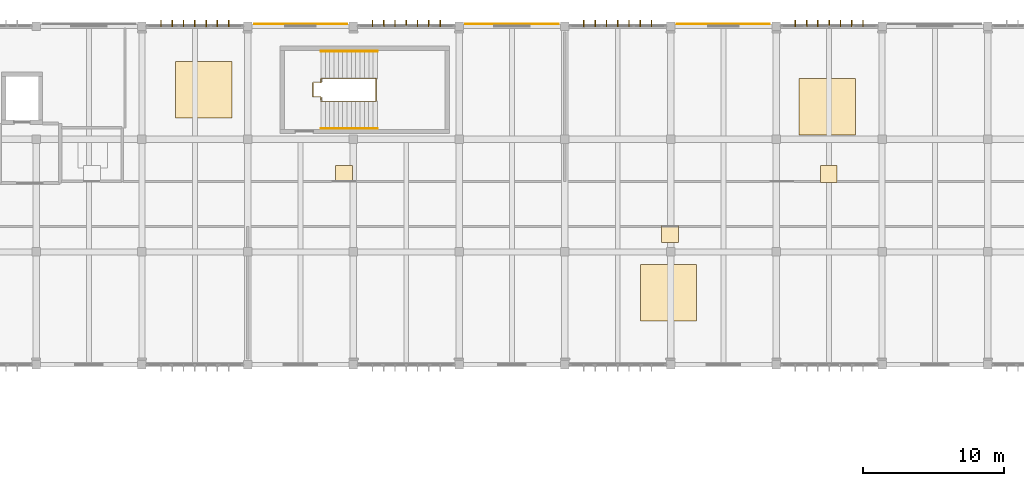
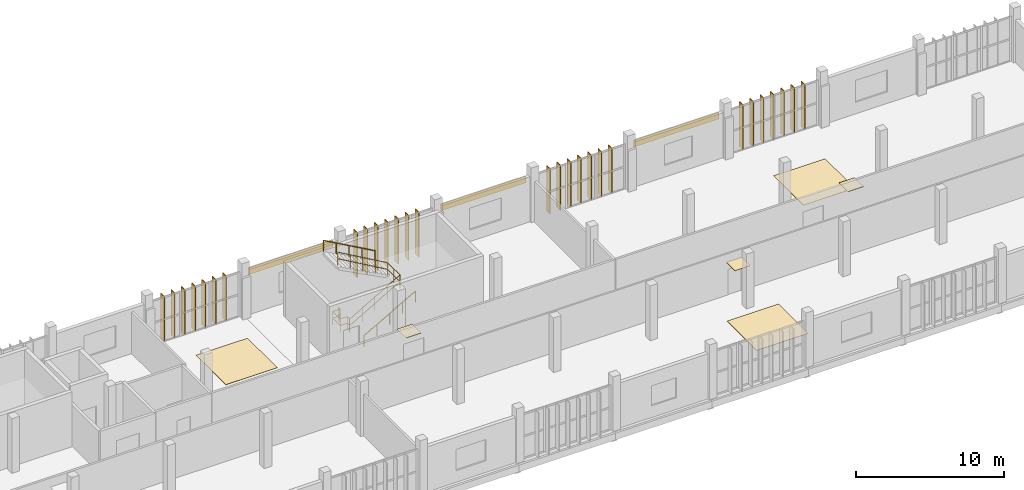
# One storey, part 76 of 81: 28 shading devices, 9 coverings, 4 railings.
"""IFC4 building model written with IfcOpenShell, lengths in metres."""

from ifc_helpers import new_model, si_unit, direction, frame, origin, origin_2d, place, context, subcontext, project, spatial, rectangle, circle, extrude, material, layer, layer_set, material_profile, profile_set, type_object, element, save


model = new_model("IFC4")

# Units and contexts
model_context = context("Model", 3, precision=1e-05, world=origin(), true_north=direction((0.0, 1.0)))
body_context = subcontext(model_context, "Body", "Model", "MODEL_VIEW")
ifc_project = project(units=[si_unit("LENGTHUNIT", "METRE"), si_unit("AREAUNIT", "SQUARE_METRE"), si_unit("VOLUMEUNIT", "CUBIC_METRE"), si_unit("PLANEANGLEUNIT", "RADIAN"), si_unit("MASSUNIT", "GRAM", prefix="KILO")], contexts=[model_context])

# Site, building, storey
site_placement = place(None, origin())
site = spatial("IfcSite", under=ifc_project, at=site_placement, CompositionType="ELEMENT")
building_placement = place(site_placement, origin())
building = spatial("IfcBuilding", under=site, at=building_placement, Name="Vourika Railside Aquatics Centre", CompositionType="ELEMENT")
storey_placement = place(building_placement, frame((0.0, 0.0, 4.800048828125)))
storey = spatial("IfcBuildingStorey", under=building, at=storey_placement, Name="L01", CompositionType="ELEMENT", Elevation=4.800048828125)

# Coverings
ifc_material_1 = material(Name="Perforated moisture-resistant acoustic gypsum ceiling")
ifc_layer_1 = layer(ifc_material_1, 0.02490234375, Name="COV-CEIL-25")
ifc_layer_set_1 = layer_set([ifc_layer_1], Name="Perforated moisture-resistant acoustic gypsum ceiling")
covering_type_1 = type_object("IfcCoveringType", Name="COV-CEIL-25", PredefinedType="CEILING", material=ifc_layer_set_1)
for number, where, z_axis, x_axis, name in (
    (1, (103.467529296875, 101.280029296875, 2.637451171875), (0.0, 0.0, 1.0), (1.0, 0.0, 0.0), "Cardio Fitness Hall Acoustic Ceiling Panel"),
    (2, (80.3349609375, 105.52001953125, 2.637451171875), (0.0, 0.0, 1.0), (1.0, 0.0, 0.0), "Indoor Cycling Spin Studio Acoustic Ceiling Panel"),
    (3, (114.717529296875, 105.52001953125, 2.637451171875), (0.0, 0.0, 1.0), (1.0, 0.0, 0.0), "Aerobics and Dance Movement Studio Acoustic Ceiling Panel"),
):
    element("IfcCovering", number, at=place(storey_placement, frame(where, z_axis=z_axis, x_axis=x_axis)), inside=storey, type_object=covering_type_1, Name=name, PredefinedType="CEILING", context=body_context, shape_type="SweptSolid", body=[
        extrude(rectangle(XDim=1.199951171875, YDim=1.199951171875, at=origin_2d()), origin(), (0.0, 0.0, 1.0), 0.02490234375),
    ])
ifc_material_2 = material(Name="Bronze-anodized aluminium rainscreen", Category="aluminium")
ifc_layer_2 = layer(ifc_material_2, 0.044921875, Name="COV-CLAD-45")
ifc_layer_set_2 = layer_set([ifc_layer_2], Name="Bronze-anodized aluminium rainscreen")
covering_type_2 = type_object("IfcCoveringType", Name="COV-CLAD-45", PredefinedType="CLADDING", material=ifc_layer_set_2)
for number, where, z_axis, x_axis, name in (
    (4, (77.25, 116.1650390625, 3.07470703125), (0.0, 0.0, 1.0), (-1.0, 0.0, 0.0), "Perforated Bronze Rainscreen Band CL-052"),
    (5, (92.25, 116.1650390625, 3.07470703125), (0.0, 0.0, 1.0), (-1.0, 0.0, 0.0), "Perforated Bronze Rainscreen Band CL-053"),
    (6, (107.25, 116.1650390625, 3.07470703125), (0.0, 0.0, 1.0), (-1.0, 0.0, 0.0), "Perforated Bronze Rainscreen Band CL-054"),
):
    element("IfcCovering", number, at=place(storey_placement, frame(where, z_axis=z_axis, x_axis=x_axis)), inside=storey, type_object=covering_type_2, Name=name, PredefinedType="CLADDING", context=body_context, shape_type="SweptSolid", body=[
        extrude(rectangle(XDim=6.60009765625, YDim=0.044921875, at=origin_2d()), origin(), (0.0, 0.0, 1.0), 0.550048828125),
    ])
ifc_material_3 = material(Name="Slip-resistant aqua ceramic sports flooring")
ifc_layer_3 = layer(ifc_material_3, 0.02001953125, Name="COV-FLOR-20")
ifc_layer_set_3 = layer_set([ifc_layer_3], Name="Slip-resistant aqua ceramic sports flooring")
covering_type_3 = type_object("IfcCoveringType", Name="COV-FLOR-20", PredefinedType="FLOORING", material=ifc_layer_set_3)
for number, where, z_axis, x_axis, name in (
    (7, (103.35009765625, 97.10009765625, 0.0), (0.0, 0.0, 1.0), (1.0, 0.0, 0.0), "Cardio Fitness Hall Sports Flooring Panel"),
    (8, (70.3798828125, 111.5, 0.0), (0.0, 0.0, 1.0), (1.0, 0.0, 0.0), "Indoor Cycling Spin Studio Sports Flooring Panel"),
    (9, (114.60009765625, 110.300048828125, 0.0), (0.0, 0.0, 1.0), (1.0, 0.0, 0.0), "Aerobics and Dance Movement Studio Sports Flooring Panel"),
):
    element("IfcCovering", number, at=place(storey_placement, frame(where, z_axis=z_axis, x_axis=x_axis)), inside=storey, type_object=covering_type_3, Name=name, PredefinedType="FLOORING", context=body_context, shape_type="SweptSolid", body=[
        extrude(rectangle(XDim=4.0, YDim=4.0, at=origin_2d()), origin(), (0.0, 0.0, 1.0), 0.02001953125),
    ])

# Railings
ifc_material_4 = material(Name="Duplex stainless steel EN 1.4462", Category="steel")
railing_type_1 = type_object("IfcRailingType", Name="RL-HAND-920", PredefinedType="HANDRAIL", material=ifc_material_4)
railing_1_placement = place(storey_placement, frame((78.699951171875, 108.760009765625, 0.0)))
element("IfcRailing", 10, at=railing_1_placement, inside=storey, type_object=railing_type_1, Name="Protected Exit Stair Core ST03 Lower Wall Handrail (L01)", PredefinedType="HANDRAIL", context=body_context, shape_type="SweptSolid", body=[
    extrude(circle(Radius=0.02392578125, at=origin_2d()), frame((0.0, 0.0, 0.89599609375), z_axis=(0.871792645139, 0.0, 0.489875069667), x_axis=(0.0, 1.0, 0.0)), (0.0, 0.0, 1.0), 4.593017578125),
    extrude(circle(Radius=0.02099609375, at=origin_2d()), origin(), (0.0, 0.0, 1.0), 0.871826171875),
    extrude(circle(Radius=0.02099609375, at=origin_2d()), frame((1.0009765625, 0.0, 0.5625)), (0.0, 0.0, 1.0), 0.871826171875),
    extrude(circle(Radius=0.02099609375, at=origin_2d()), frame((2.001953125, 0.0, 1.125)), (0.0, 0.0, 1.0), 0.871826171875),
    extrude(circle(Radius=0.02099609375, at=origin_2d()), frame((3.003173828125, 0.0, 1.6875)), (0.0, 0.0, 1.0), 0.871826171875),
    extrude(circle(Radius=0.02099609375, at=origin_2d()), frame((4.004150390625, 0.0, 2.25)), (0.0, 0.0, 1.0), 0.871826171875),
])
railing_2_placement = place(storey_placement, frame((82.7041015625, 114.239990234375, 2.25)))
element("IfcRailing", 11, at=railing_2_placement, inside=storey, type_object=railing_type_1, Name="Protected Exit Stair Core ST03 Upper Wall Handrail (L01)", PredefinedType="HANDRAIL", context=body_context, shape_type="SweptSolid", body=[
    extrude(circle(Radius=0.02392578125, at=origin_2d()), frame((0.0, 0.0, 0.89599609375), z_axis=(-0.871792645139, 0.0, 0.489875069667), x_axis=(0.0, -1.0, 0.0)), (0.0, 0.0, 1.0), 4.593017578125),
    extrude(circle(Radius=0.02099609375, at=origin_2d()), origin(), (0.0, 0.0, 1.0), 0.871826171875),
    extrude(circle(Radius=0.02099609375, at=origin_2d()), frame((-1.0009765625, 0.0, 0.5625)), (0.0, 0.0, 1.0), 0.871826171875),
    extrude(circle(Radius=0.02099609375, at=origin_2d()), frame((-2.001953125, 0.0, 1.125)), (0.0, 0.0, 1.0), 0.871826171875),
    extrude(circle(Radius=0.02099609375, at=origin_2d()), frame((-3.003173828125, 0.0, 1.6875)), (0.0, 0.0, 1.0), 0.871826171875),
    extrude(circle(Radius=0.02099609375, at=origin_2d()), frame((-4.004150390625, 0.0, 2.25)), (0.0, 0.0, 1.0), 0.871826171875),
])
railing_type_2 = type_object("IfcRailingType", Name="RL-STAIR-1120", PredefinedType="BALUSTRADE", material=ifc_material_4)
railing_3_placement = place(storey_placement, frame((78.699951171875, 110.75, 0.0)))
element("IfcRailing", 12, at=railing_3_placement, inside=storey, type_object=railing_type_2, Name="Protected Exit Stair Core ST03 Well Edge Guard (L01)", PredefinedType="BALUSTRADE", context=body_context, shape_type="SweptSolid", body=[
    extrude(circle(Radius=0.02392578125, at=origin_2d()), frame((0.0, 0.0, 1.09619140625), z_axis=(0.0, 1.0, 0.0), x_axis=(-1.0, 0.0, 0.0)), (0.0, 0.0, 1.0), 0.25),
    extrude(circle(Radius=0.02392578125, at=origin_2d()), frame((0.0, 0.0, 0.56005859375), z_axis=(0.0, 1.0, 0.0), x_axis=(-1.0, 0.0, 0.0)), (0.0, 0.0, 1.0), 0.25),
    extrude(circle(Radius=0.02392578125, at=origin_2d()), frame((0.0, 0.25, 1.09619140625), z_axis=(-1.0, 0.0, 0.0), x_axis=(0.0, -1.0, 0.0)), (0.0, 0.0, 1.0), 0.570068359375),
    extrude(circle(Radius=0.02392578125, at=origin_2d()), frame((0.0, 0.25, 0.56005859375), z_axis=(-1.0, 0.0, 0.0), x_axis=(0.0, -1.0, 0.0)), (0.0, 0.0, 1.0), 0.570068359375),
    extrude(circle(Radius=0.02392578125, at=origin_2d()), frame((-0.570068359375, 0.25, 1.09619140625), z_axis=(0.0, 1.0, 0.0), x_axis=(-1.0, 0.0, 0.0)), (0.0, 0.0, 1.0), 1.0),
    extrude(circle(Radius=0.02392578125, at=origin_2d()), frame((-0.570068359375, 0.25, 0.56005859375), z_axis=(0.0, 1.0, 0.0), x_axis=(-1.0, 0.0, 0.0)), (0.0, 0.0, 1.0), 1.0),
    extrude(circle(Radius=0.02392578125, at=origin_2d()), frame((-0.570068359375, 1.25, 1.09619140625), z_axis=(1.0, 0.0, 0.0), x_axis=(0.0, 1.0, 0.0)), (0.0, 0.0, 1.0), 0.570068359375),
    extrude(circle(Radius=0.02392578125, at=origin_2d()), frame((-0.570068359375, 1.25, 0.56005859375), z_axis=(1.0, 0.0, 0.0), x_axis=(0.0, 1.0, 0.0)), (0.0, 0.0, 1.0), 0.570068359375),
    extrude(circle(Radius=0.02392578125, at=origin_2d()), frame((0.0, 1.25, 1.09619140625), z_axis=(0.0, 1.0, 0.0), x_axis=(-1.0, 0.0, 0.0)), (0.0, 0.0, 1.0), 0.25),
    extrude(circle(Radius=0.02392578125, at=origin_2d()), frame((0.0, 1.25, 0.56005859375), z_axis=(0.0, 1.0, 0.0), x_axis=(-1.0, 0.0, 0.0)), (0.0, 0.0, 1.0), 0.25),
    extrude(circle(Radius=0.02099609375, at=origin_2d()), origin(), (0.0, 0.0, 1.0), 1.072021484375),
    extrude(circle(Radius=0.02099609375, at=origin_2d()), frame((0.0, 0.25, 0.0)), (0.0, 0.0, 1.0), 1.072021484375),
    extrude(circle(Radius=0.02099609375, at=origin_2d()), frame((-0.570068359375, 0.25, 0.0)), (0.0, 0.0, 1.0), 1.072021484375),
    extrude(circle(Radius=0.02099609375, at=origin_2d()), frame((-0.570068359375, 1.25, 0.0)), (0.0, 0.0, 1.0), 1.072021484375),
    extrude(circle(Radius=0.02099609375, at=origin_2d()), frame((0.0, 1.25, 0.0)), (0.0, 0.0, 1.0), 1.072021484375),
    extrude(circle(Radius=0.02099609375, at=origin_2d()), frame((0.0, 1.5, 0.0)), (0.0, 0.0, 1.0), 1.072021484375),
])
railing_4_placement = place(storey_placement, frame((78.699951171875, 110.679931640625, 0.0)))
element("IfcRailing", 13, at=railing_4_placement, inside=storey, type_object=railing_type_2, Name="Protected Exit Stair Core ST03 Center Well Guard (L01)", PredefinedType="BALUSTRADE", context=body_context, shape_type="SweptSolid", body=[
    extrude(circle(Radius=0.02392578125, at=origin_2d()), frame((0.0, 0.0, 1.09619140625), z_axis=(0.866410100601, 0.0, 0.499333092811), x_axis=(0.0, 1.0, 0.0)), (0.0, 0.0, 1.0), 4.506103515625),
    extrude(circle(Radius=0.02392578125, at=origin_2d()), frame((0.0, 0.0, 0.56005859375), z_axis=(0.866410100601, 0.0, 0.499333092811), x_axis=(0.0, 1.0, 0.0)), (0.0, 0.0, 1.0), 4.506103515625),
    extrude(circle(Radius=0.02392578125, at=origin_2d()), frame((3.904052734375, 0.0, 3.34619140625), z_axis=(0.0, 1.0, 0.0), x_axis=(-1.0, 0.0, 0.0)), (0.0, 0.0, 1.0), 1.64013671875),
    extrude(circle(Radius=0.02392578125, at=origin_2d()), frame((3.904052734375, 0.0, 2.81005859375), z_axis=(0.0, 1.0, 0.0), x_axis=(-1.0, 0.0, 0.0)), (0.0, 0.0, 1.0), 1.64013671875),
    extrude(circle(Radius=0.02392578125, at=origin_2d()), frame((3.904052734375, 1.64013671875, 3.34619140625), z_axis=(-0.866410100601, 0.0, 0.499333092811), x_axis=(0.0, -1.0, 0.0)), (0.0, 0.0, 1.0), 4.506103515625),
    extrude(circle(Radius=0.02392578125, at=origin_2d()), frame((3.904052734375, 1.64013671875, 2.81005859375), z_axis=(-0.866410100601, 0.0, 0.499333092811), x_axis=(0.0, -1.0, 0.0)), (0.0, 0.0, 1.0), 4.506103515625),
    extrude(circle(Radius=0.02099609375, at=origin_2d()), origin(), (0.0, 0.0, 1.0), 1.072021484375),
    extrude(circle(Radius=0.02099609375, at=origin_2d()), frame((0.97607421875, 0.0, 0.5625)), (0.0, 0.0, 1.0), 1.072021484375),
    extrude(circle(Radius=0.02099609375, at=origin_2d()), frame((1.9521484375, 0.0, 1.125)), (0.0, 0.0, 1.0), 1.072021484375),
    extrude(circle(Radius=0.02099609375, at=origin_2d()), frame((2.927978515625, 0.0, 1.6875)), (0.0, 0.0, 1.0), 1.072021484375),
    extrude(circle(Radius=0.02099609375, at=origin_2d()), frame((3.904052734375, 0.0, 2.25)), (0.0, 0.0, 1.0), 1.072021484375),
    extrude(circle(Radius=0.02099609375, at=origin_2d()), frame((3.904052734375, 0.820068359375, 2.25)), (0.0, 0.0, 1.0), 1.072021484375),
    extrude(circle(Radius=0.02099609375, at=origin_2d()), frame((3.904052734375, 1.64013671875, 2.25)), (0.0, 0.0, 1.0), 1.072021484375),
    extrude(circle(Radius=0.02099609375, at=origin_2d()), frame((2.927978515625, 1.64013671875, 2.8125)), (0.0, 0.0, 1.0), 1.072021484375),
    extrude(circle(Radius=0.02099609375, at=origin_2d()), frame((1.9521484375, 1.64013671875, 3.375)), (0.0, 0.0, 1.0), 1.072021484375),
    extrude(circle(Radius=0.02099609375, at=origin_2d()), frame((0.97607421875, 1.64013671875, 3.9375)), (0.0, 0.0, 1.0), 1.072021484375),
    extrude(circle(Radius=0.02099609375, at=origin_2d()), frame((0.0, 1.64013671875, 4.5)), (0.0, 0.0, 1.0), 1.072021484375),
])

# Shading devices
ifc_material_5 = material(Name="Bronze-anodized extruded aluminium", Category="aluminium")
ifc_material_profile = material_profile(ifc_material_5, rectangle(XDim=0.06005859375, YDim=0.47998046875, at=origin_2d()), Name="ALU-FIN 60x480")
ifc_profile_set = profile_set([ifc_material_profile], Name="Bronze-anodized extruded aluminium")
shading_device_type = type_object("IfcShadingDeviceType", Name="SHD-FIN-F48A", PredefinedType="USERDEFINED", material=ifc_profile_set)
for number, where, z_axis, x_axis, name in (
    (14, (67.35009765625, 116.215087890625, 0.0), (0.0, 0.0, 1.0), (1.0, 0.0, 0.0), "Vertical Solar Fin VSF-0747"),
    (15, (68.14990234375, 116.215087890625, 0.0), (0.0, 0.0, 1.0), (1.0, 0.0, 0.0), "Vertical Solar Fin VSF-0748"),
    (16, (68.949951171875, 116.215087890625, 0.0), (0.0, 0.0, 1.0), (1.0, 0.0, 0.0), "Vertical Solar Fin VSF-0749"),
    (17, (69.75, 116.215087890625, 0.0), (0.0, 0.0, 1.0), (1.0, 0.0, 0.0), "Vertical Solar Fin VSF-0750"),
    (18, (70.550048828125, 116.215087890625, 0.0), (0.0, 0.0, 1.0), (1.0, 0.0, 0.0), "Vertical Solar Fin VSF-0751"),
    (19, (71.35009765625, 116.215087890625, 0.0), (0.0, 0.0, 1.0), (1.0, 0.0, 0.0), "Vertical Solar Fin VSF-0752"),
    (20, (72.14990234375, 116.215087890625, 0.0), (0.0, 0.0, 1.0), (1.0, 0.0, 0.0), "Vertical Solar Fin VSF-0753"),
    (21, (82.35009765625, 116.215087890625, 0.0), (0.0, 0.0, 1.0), (1.0, 0.0, 0.0), "Vertical Solar Fin VSF-0754"),
    (22, (83.14990234375, 116.215087890625, 0.0), (0.0, 0.0, 1.0), (1.0, 0.0, 0.0), "Vertical Solar Fin VSF-0755"),
    (23, (83.949951171875, 116.215087890625, 0.0), (0.0, 0.0, 1.0), (1.0, 0.0, 0.0), "Vertical Solar Fin VSF-0756"),
    (24, (84.75, 116.215087890625, 0.0), (0.0, 0.0, 1.0), (1.0, 0.0, 0.0), "Vertical Solar Fin VSF-0757"),
    (25, (85.550048828125, 116.215087890625, 0.0), (0.0, 0.0, 1.0), (1.0, 0.0, 0.0), "Vertical Solar Fin VSF-0758"),
    (26, (86.35009765625, 116.215087890625, 0.0), (0.0, 0.0, 1.0), (1.0, 0.0, 0.0), "Vertical Solar Fin VSF-0759"),
    (27, (87.14990234375, 116.215087890625, 0.0), (0.0, 0.0, 1.0), (1.0, 0.0, 0.0), "Vertical Solar Fin VSF-0760"),
    (28, (97.35009765625, 116.215087890625, 0.0), (0.0, 0.0, 1.0), (1.0, 0.0, 0.0), "Vertical Solar Fin VSF-0761"),
    (29, (98.14990234375, 116.215087890625, 0.0), (0.0, 0.0, 1.0), (1.0, 0.0, 0.0), "Vertical Solar Fin VSF-0762"),
    (30, (98.949951171875, 116.215087890625, 0.0), (0.0, 0.0, 1.0), (1.0, 0.0, 0.0), "Vertical Solar Fin VSF-0763"),
    (31, (99.75, 116.215087890625, 0.0), (0.0, 0.0, 1.0), (1.0, 0.0, 0.0), "Vertical Solar Fin VSF-0764"),
    (32, (100.550048828125, 116.215087890625, 0.0), (0.0, 0.0, 1.0), (1.0, 0.0, 0.0), "Vertical Solar Fin VSF-0765"),
    (33, (101.35009765625, 116.215087890625, 0.0), (0.0, 0.0, 1.0), (1.0, 0.0, 0.0), "Vertical Solar Fin VSF-0766"),
    (34, (102.14990234375, 116.215087890625, 0.0), (0.0, 0.0, 1.0), (1.0, 0.0, 0.0), "Vertical Solar Fin VSF-0767"),
    (35, (112.35009765625, 116.215087890625, 0.0), (0.0, 0.0, 1.0), (1.0, 0.0, 0.0), "Vertical Solar Fin VSF-0768"),
    (36, (113.14990234375, 116.215087890625, 0.0), (0.0, 0.0, 1.0), (1.0, 0.0, 0.0), "Vertical Solar Fin VSF-0769"),
    (37, (113.949951171875, 116.215087890625, 0.0), (0.0, 0.0, 1.0), (1.0, 0.0, 0.0), "Vertical Solar Fin VSF-0770"),
    (38, (114.75, 116.215087890625, 0.0), (0.0, 0.0, 1.0), (1.0, 0.0, 0.0), "Vertical Solar Fin VSF-0771"),
    (39, (115.550048828125, 116.215087890625, 0.0), (0.0, 0.0, 1.0), (1.0, 0.0, 0.0), "Vertical Solar Fin VSF-0772"),
    (40, (116.35009765625, 116.215087890625, 0.0), (0.0, 0.0, 1.0), (1.0, 0.0, 0.0), "Vertical Solar Fin VSF-0773"),
    (41, (117.14990234375, 116.215087890625, 0.0), (0.0, 0.0, 1.0), (1.0, 0.0, 0.0), "Vertical Solar Fin VSF-0774"),
):
    element("IfcShadingDevice", number, at=place(storey_placement, frame(where, z_axis=z_axis, x_axis=x_axis)), inside=storey, type_object=shading_device_type, Name=name, ObjectType="FIN", PredefinedType="USERDEFINED", context=body_context, shape_type="SweptSolid", body=[
        extrude(rectangle(XDim=0.06005859375, YDim=0.47998046875, at=origin_2d()), origin(), (0.0, 0.0, 1.0), 3.699951171875),
    ])

save(model, "model.ifc")
